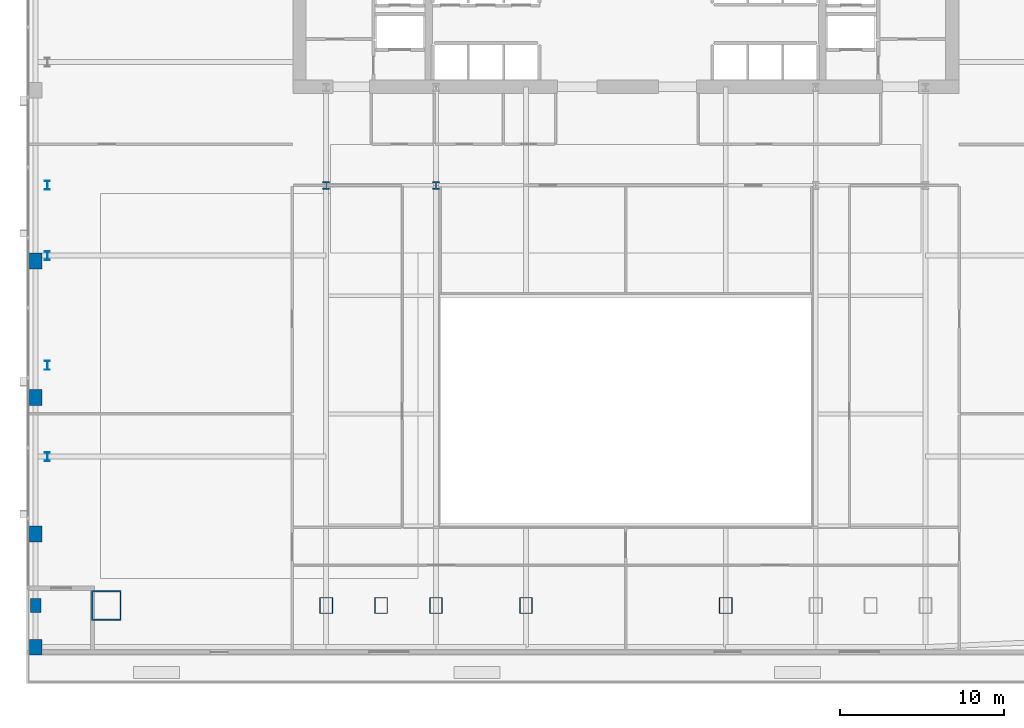
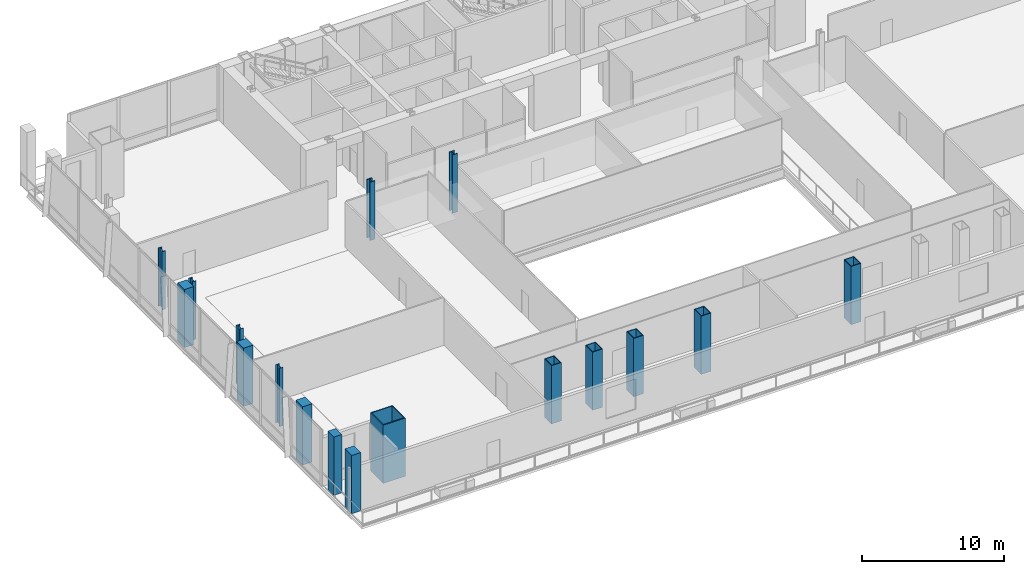
# One storey, part 1 of 25: 17 columns.
"""IFC4 building model written with IfcOpenShell, lengths in metres."""

from ifc_helpers import new_model, si_unit, direction, frame, origin, origin_2d, place, context, subcontext, project, spatial, rectangle, hollow_rectangle, i_section, extrude, material, material_profile, profile_set, type_object, element, save


model = new_model("IFC4")

# Units and contexts
model_context = context("Model", 3, precision=1e-05, world=origin(), true_north=direction((0.0, 1.0)))
body_context = subcontext(model_context, "Body", "Model", "MODEL_VIEW")
ifc_project = project(units=[si_unit("LENGTHUNIT", "METRE"), si_unit("AREAUNIT", "SQUARE_METRE"), si_unit("VOLUMEUNIT", "CUBIC_METRE"), si_unit("PLANEANGLEUNIT", "RADIAN"), si_unit("MASSUNIT", "GRAM", prefix="KILO")], contexts=[model_context])

# Site, building, storey
site_placement = place(None, origin())
site = spatial("IfcSite", under=ifc_project, at=site_placement, CompositionType="ELEMENT")
building_placement = place(site_placement, origin())
building = spatial("IfcBuilding", under=site, at=building_placement, Name="Khoronbel Lancet Exchange", CompositionType="ELEMENT")
storey_placement = place(building_placement, frame((0.0, 0.0, 10.39990234375)))
storey = spatial("IfcBuildingStorey", under=building, at=storey_placement, Name="L02", CompositionType="ELEMENT", Elevation=10.39990234375)

# Columns
ifc_material_1 = material(Name="Steel S460", Category="steel")
ifc_material_profile_1 = material_profile(ifc_material_1, hollow_rectangle(XDim=0.800048828125, YDim=1.0, WallThickness=0.054931640625, at=origin_2d()), Name="BOX 1000x800x55")
ifc_profile_set_1 = profile_set([ifc_material_profile_1], Name="Steel S460")
column_type_1 = type_object("IfcColumnType", Name="COL-EC1", PredefinedType="COLUMN", material=ifc_profile_set_1)
for number, where, z_axis, x_axis, name in (
    (1, (18.22509765625, 10.14990234375, 0.0), (0.0, 0.0, 1.0), (1.0, 0.0, 0.0), "Structural column SC-W1 L02"),
    (2, (21.5625, 10.14990234375, 0.0), (0.0, 0.0, 1.0), (1.0, 0.0, 0.0), "Structural column SC-WM L02"),
    (3, (24.89990234375, 10.14990234375, 0.0), (0.0, 0.0, 1.0), (1.0, 0.0, 0.0), "Structural column SC-W2 L02"),
    (4, (30.375, 10.14990234375, 0.0), (0.0, 0.0, 1.0), (1.0, 0.0, 0.0), "Structural column SC-C1 L02"),
    (5, (42.52490234375, 10.14990234375, 0.0), (0.0, 0.0, 1.0), (1.0, 0.0, 0.0), "Structural column SC-C2 L02"),
):
    element("IfcColumn", number, at=place(storey_placement, frame(where, z_axis=z_axis, x_axis=x_axis)), inside=storey, type_object=column_type_1, Name=name, PredefinedType="COLUMN", context=body_context, shape_type="SweptSolid", body=[
        extrude(hollow_rectangle(XDim=0.800048828125, YDim=1.0, WallThickness=0.054931640625, at=origin_2d()), origin(), (0.0, 0.0, 1.0), 5.0),
    ])
ifc_material_profile_2 = material_profile(ifc_material_1, i_section(OverallWidth=0.424072265625, OverallDepth=0.47412109375, WebThickness=0.047607421875, FlangeThickness=0.076904296875, at=origin_2d()), Name="HD 400x634")
ifc_profile_set_2 = profile_set([ifc_material_profile_2], Name="Steel S460")
column_type_2 = type_object("IfcColumnType", Name="COL-IC1", PredefinedType="COLUMN", material=ifc_profile_set_2)
for number, where, z_axis, x_axis, name in (
    (6, (18.22509765625, 35.699951171875, 0.0), (0.0, 0.0, 1.0), (1.0, 0.0, 0.0), "Spine gravity column TC1 L02"),
    (7, (24.89990234375, 35.699951171875, 0.0), (0.0, 0.0, 1.0), (1.0, 0.0, 0.0), "Spine gravity column TC2 L02"),
):
    element("IfcColumn", number, at=place(storey_placement, frame(where, z_axis=z_axis, x_axis=x_axis)), inside=storey, type_object=column_type_2, Name=name, PredefinedType="COLUMN", context=body_context, shape_type="SweptSolid", body=[
        extrude(i_section(OverallWidth=0.424072265625, OverallDepth=0.47412109375, WebThickness=0.047607421875, FlangeThickness=0.076904296875, at=origin_2d()), origin(), (0.0, 0.0, 1.0), 5.0),
    ])
ifc_material_2 = material(Name="Steel S355", Category="steel")
ifc_material_profile_3 = material_profile(ifc_material_2, i_section(OverallWidth=0.300048828125, OverallDepth=0.550048828125, WebThickness=0.014892578125, FlangeThickness=0.029052734375, at=origin_2d()), Name="HEB 550")
ifc_profile_set_3 = profile_set([ifc_material_profile_3], Name="Steel S355")
column_type_3 = type_object("IfcColumnType", Name="COL-LC1", PredefinedType="COLUMN", material=ifc_profile_set_3)
for number, where, z_axis, x_axis, name in (
    (8, (1.27001953125, 19.199951171875, 0.0), (0.0, 0.0, 1.0), (1.0, 0.0, 0.0), "Structural column WC-1 L02"),
    (9, (1.27001953125, 24.75, 0.0), (0.0, 0.0, 1.0), (1.0, 0.0, 0.0), "Structural column WC-2 L02"),
    (10, (1.27001953125, 31.425048828125, 0.0), (0.0, 0.0, 1.0), (1.0, 0.0, 0.0), "Structural column WC-M L02"),
    (11, (1.27001953125, 35.699951171875, 0.0), (0.0, 0.0, 1.0), (1.0, 0.0, 0.0), "Structural column WC-3 L02"),
):
    element("IfcColumn", number, at=place(storey_placement, frame(where, z_axis=z_axis, x_axis=x_axis)), inside=storey, type_object=column_type_3, Name=name, PredefinedType="COLUMN", context=body_context, shape_type="SweptSolid", body=[
        extrude(i_section(OverallWidth=0.300048828125, OverallDepth=0.550048828125, WebThickness=0.014892578125, FlangeThickness=0.029052734375, at=origin_2d()), origin(), (0.0, 0.0, 1.0), 5.0),
    ])
ifc_material_profile_4 = material_profile(ifc_material_1, hollow_rectangle(XDim=1.800048828125, YDim=1.800048828125, WallThickness=0.080078125, at=origin_2d()), Name="BOX 1800x1800x80")
ifc_profile_set_4 = profile_set([ifc_material_profile_4], Name="Steel S460")
column_type_4 = type_object("IfcColumnType", Name="COL-MC1", PredefinedType="COLUMN", material=ifc_profile_set_4)
column_1_placement = place(storey_placement, frame((4.85009765625, 10.14990234375, 0.0), z_axis=(0.0, 0.0, 1.0), x_axis=(1.0, 0.0, 0.0)))
element("IfcColumn", 12, at=column_1_placement, inside=storey, type_object=column_type_4, Name="Structural column MC-SW L02", PredefinedType="COLUMN", context=body_context, shape_type="SweptSolid", body=[
    extrude(hollow_rectangle(XDim=1.800048828125, YDim=1.800048828125, WallThickness=0.080078125, at=origin_2d()), origin(), (0.0, 0.0, 1.0), 5.0),
])
ifc_material_3 = material(Name="Concrete C60/75", Category="concrete")
ifc_material_profile_5 = material_profile(ifc_material_3, rectangle(XDim=0.75, YDim=0.949951171875, at=origin_2d()), Name="RC 750x950")
ifc_profile_set_5 = profile_set([ifc_material_profile_5], Name="Concrete C60/75")
column_type_5 = type_object("IfcColumnType", Name="COL-PIL2", PredefinedType="PILASTER", material=ifc_profile_set_5)
for number, where, z_axis, x_axis, name in (
    (13, (0.550048828125, 7.6201171875, 0.0), (0.0, 0.0, 1.0), (1.0, 0.0, 0.0), "Podium Gothic colonnade pilaster SWP L02"),
    (14, (0.550048828125, 14.5, 0.0), (0.0, 0.0, 1.0), (1.0, 0.0, 0.0), "Podium Gothic colonnade pilaster W1 L02"),
    (15, (0.550048828125, 22.800048828125, 0.0), (0.0, 0.0, 1.0), (1.0, 0.0, 0.0), "Podium Gothic colonnade pilaster W2 L02"),
    (16, (0.550048828125, 31.10009765625, 0.0), (0.0, 0.0, 1.0), (1.0, 0.0, 0.0), "Podium Gothic colonnade pilaster W3 L02"),
):
    element("IfcColumn", number, at=place(storey_placement, frame(where, z_axis=z_axis, x_axis=x_axis)), inside=storey, type_object=column_type_5, Name=name, PredefinedType="PILASTER", context=body_context, shape_type="SweptSolid", body=[
        extrude(rectangle(XDim=0.75, YDim=0.949951171875, at=origin_2d()), origin(), (0.0, 0.0, 1.0), 5.0),
    ])
ifc_material_profile_6 = material_profile(ifc_material_3, rectangle(XDim=0.64990234375, YDim=0.85009765625, at=origin_2d()), Name="RC 650x850")
ifc_profile_set_6 = profile_set([ifc_material_profile_6], Name="Concrete C60/75")
column_type_6 = type_object("IfcColumnType", Name="COL-PIL3", PredefinedType="PILASTER", material=ifc_profile_set_6)
column_2_placement = place(storey_placement, frame((0.550048828125, 10.14990234375, 0.0), z_axis=(0.0, 0.0, 1.0), x_axis=(1.0, 0.0, 0.0)))
element("IfcColumn", 17, at=column_2_placement, inside=storey, type_object=column_type_6, Name="Podium Gothic colonnade pilaster WMC L02", PredefinedType="PILASTER", context=body_context, shape_type="SweptSolid", body=[
    extrude(rectangle(XDim=0.64990234375, YDim=0.85009765625, at=origin_2d()), origin(), (0.0, 0.0, 1.0), 5.0),
])

save(model, "model.ifc")
